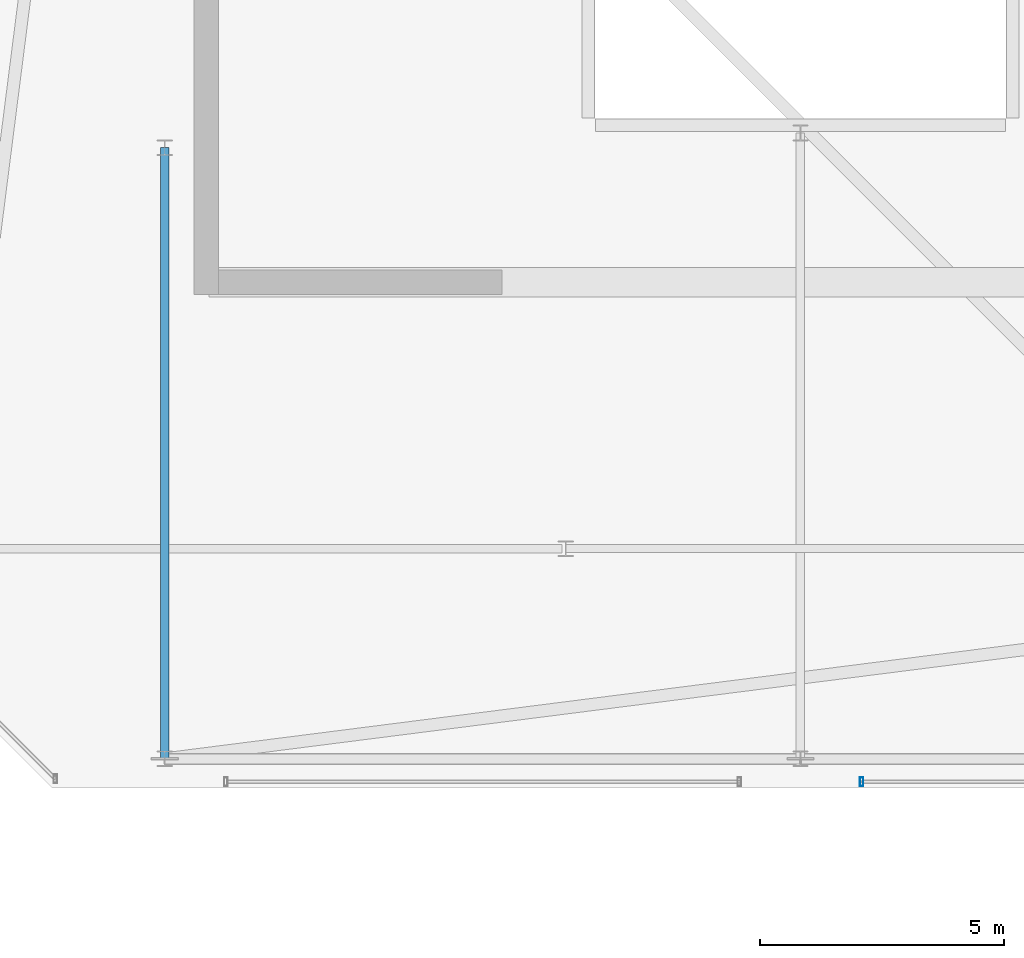
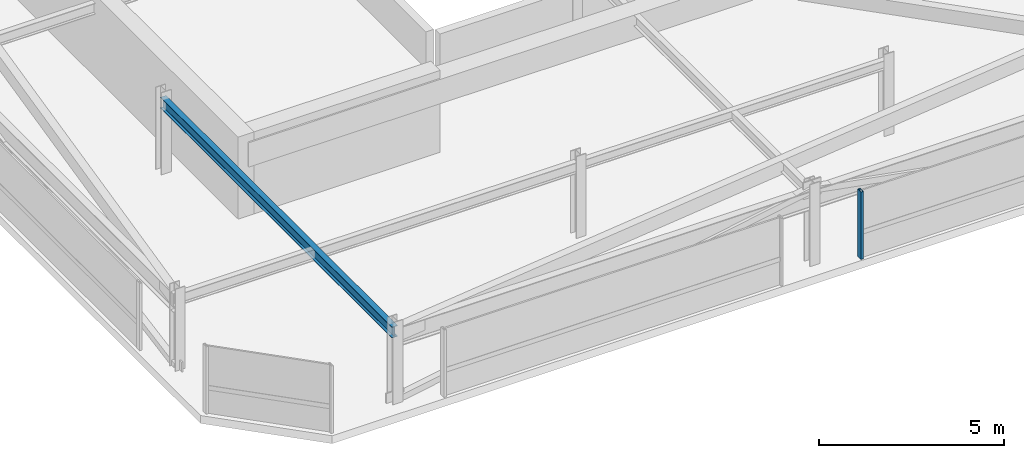
# One storey, part 30 of 44: 1 beam, 1 member, 1 element without a shape of its own.
"""IFC4 building model written with IfcOpenShell, lengths in metres."""

from ifc_helpers import new_model, si_unit, direction, frame, origin, origin_2d, place, context, subcontext, project, spatial, hollow_rectangle, i_section, extrude, material, material_profile, profile_set, type_object, element, aggregate, save


model = new_model("IFC4")

# Units and contexts
model_context = context("Model", 3, precision=1e-05, world=origin(), true_north=direction((0.0, 1.0)))
body_context = subcontext(model_context, "Body", "Model", "MODEL_VIEW")
ifc_project = project(units=[si_unit("LENGTHUNIT", "METRE"), si_unit("AREAUNIT", "SQUARE_METRE"), si_unit("VOLUMEUNIT", "CUBIC_METRE"), si_unit("PLANEANGLEUNIT", "RADIAN"), si_unit("MASSUNIT", "GRAM", prefix="KILO")], contexts=[model_context])

# Site, building, storey
site_placement = place(None, origin())
site = spatial("IfcSite", under=ifc_project, at=site_placement, CompositionType="ELEMENT")
building_placement = place(site_placement, origin())
building = spatial("IfcBuilding", under=site, at=building_placement, Name="Thornwick Lancets Civic Towers", CompositionType="ELEMENT")
storey_placement = place(building_placement, frame((0.0, 0.0, 292.199951171875)))
storey = spatial("IfcBuildingStorey", under=building, at=storey_placement, Name="C05", CompositionType="ELEMENT", Elevation=292.199951171875)

# Beam
ifc_material_1 = material(Name="Steel S355JR", Category="steel")
ifc_material_profile_1 = material_profile(ifc_material_1, i_section(OverallWidth=0.173095703125, OverallDepth=0.36328125, WebThickness=0.009033203125, FlangeThickness=0.015625, FilletRadius=0.01025390625, at=origin_2d()), Name="UKB 356x171x67")
ifc_profile_set_1 = profile_set([ifc_material_profile_1], Name="Steel S355JR")
beam_type = type_object("IfcBeamType", Name="BM_JOIST_356_67", PredefinedType="JOIST", material=ifc_profile_set_1)
beam_placement = place(storey_placement, frame((75.5, 22.199951171875, 2.25830078125), z_axis=(0.0, -1.0, 0.0), x_axis=(1.0, 0.0, 0.0)))
element("IfcBeam", 1, at=beam_placement, inside=storey, type_object=beam_type, Name="BM-RADIN-C05-B12", PredefinedType="JOIST", context=body_context, shape_type="SweptSolid", body=[
    extrude(i_section(OverallWidth=0.173095703125, OverallDepth=0.36328125, WebThickness=0.009033203125, FlangeThickness=0.015625, FilletRadius=0.01025390625, at=origin_2d()), origin(), (0.0, 0.0, 1.0), 12.5),
])

# Curtain wall, member
ifc_material_2 = material(Name="Crown ring acoustic-louvre and glazing screen wall", Category="glass")
curtain_wall_type = type_object("IfcCurtainWallType", Name="CW_SYS_07", PredefinedType="NOTDEFINED", material=ifc_material_2)
curtain_wall_placement = place(storey_placement, origin())
curtain_wall = element("IfcCurtainWall", 2, at=curtain_wall_placement, inside=storey, type_object=curtain_wall_type, Name="C05 Curtain Wall CW-C05-B-E0-S2", PredefinedType="NOTDEFINED")
ifc_material_3 = material(Name="Thermally broken bronze aluminium S355", Category="steel")
ifc_material_profile_2 = material_profile(ifc_material_3, hollow_rectangle(XDim=0.074951171875, YDim=0.179931640625, WallThickness=0.006103515625, at=origin_2d()), Name="RHS 180x75x6")
ifc_profile_set_2 = profile_set([ifc_material_profile_2], Name="Thermally broken bronze aluminium S355")
member_type = type_object("IfcMemberType", Name="CW_MUL_180", PredefinedType="MULLION", material=ifc_profile_set_2)
member_placement = place(storey_placement, frame((89.75, 9.2353515625, 0.0), z_axis=(0.0, 0.0, 1.0), x_axis=(1.0, 0.0, 0.0)))
member = element("IfcMember", 3, at=member_placement, type_object=member_type, Name="CW-C05-B-E0-S2 Mullion 0", PredefinedType="MULLION", context=body_context, shape_type="SweptSolid", body=[
    extrude(hollow_rectangle(XDim=0.074951171875, YDim=0.179931640625, WallThickness=0.006103515625, at=origin_2d()), origin(), (0.0, 0.0, 1.0), 2.219970703125),
])
aggregate(curtain_wall, [member])

save(model, "model.ifc")
